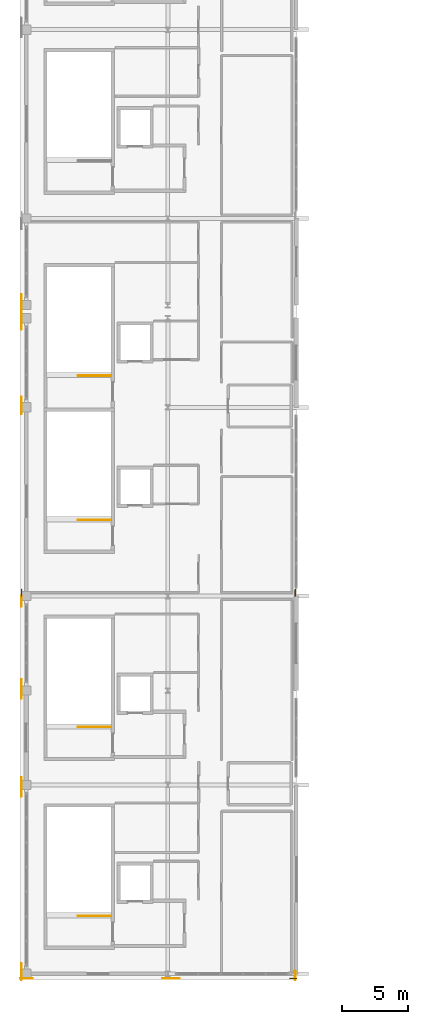
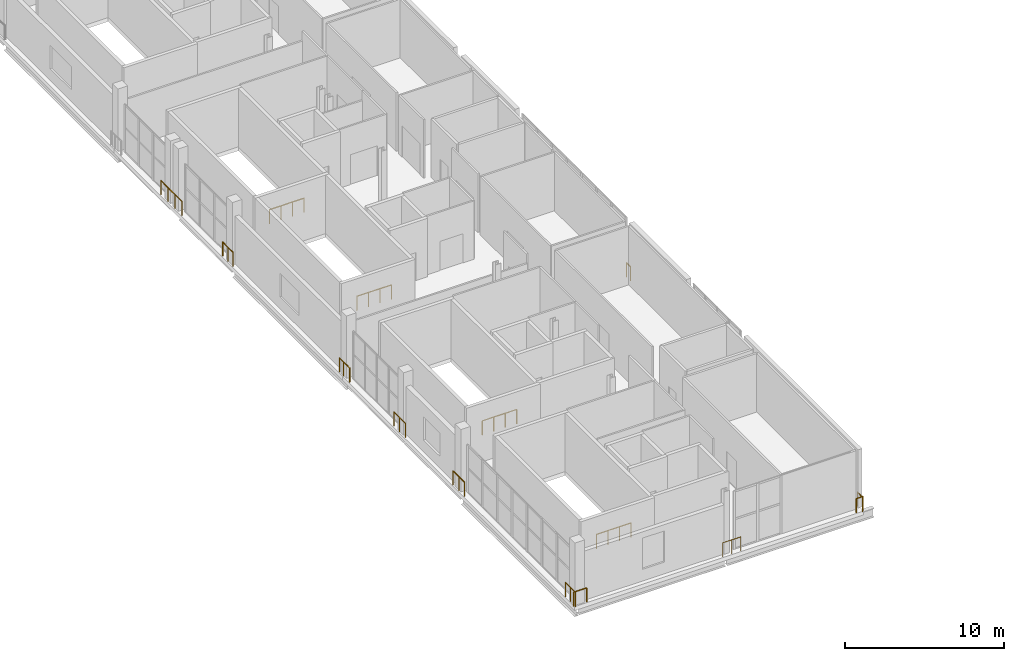
# One storey, part 17 of 19: 16 railings.
"""IFC4 building model written with IfcOpenShell, lengths in metres."""

from ifc_helpers import new_model, si_unit, direction, frame, origin, origin_2d, place, context, subcontext, project, spatial, circle, extrude, material, type_object, element, save


model = new_model("IFC4")

# Units and contexts
model_context = context("Model", 3, precision=1e-05, world=origin(), true_north=direction((0.0, 1.0)))
body_context = subcontext(model_context, "Body", "Model", "MODEL_VIEW")
ifc_project = project(units=[si_unit("LENGTHUNIT", "METRE"), si_unit("AREAUNIT", "SQUARE_METRE"), si_unit("VOLUMEUNIT", "CUBIC_METRE"), si_unit("PLANEANGLEUNIT", "RADIAN"), si_unit("MASSUNIT", "GRAM", prefix="KILO")], contexts=[model_context])

# Site, building, storey
site_placement = place(None, origin())
site = spatial("IfcSite", under=ifc_project, at=site_placement, CompositionType="ELEMENT")
building_placement = place(site_placement, origin())
building = spatial("IfcBuilding", under=site, at=building_placement, Name="Koshinbarg Plaza Stadium", CompositionType="ELEMENT")
storey_placement = place(building_placement, frame((0.0, 0.0, 29.39990234375)))
storey = spatial("IfcBuildingStorey", under=building, at=storey_placement, Name="L06", CompositionType="ELEMENT", Elevation=29.39990234375)

# Railings
ifc_material_1 = material(Name="Toughened laminated glass and stainless steel sightline balustrade", Category="steel")
railing_type_1 = type_object("IfcRailingType", Name="RL-BOWL-1100", PredefinedType="BALUSTRADE", material=ifc_material_1)
railing_1_placement = place(storey_placement, frame((24.22509765625, 25.044921875, 0.0)))
element("IfcRailing", 1, at=railing_1_placement, inside=storey, type_object=railing_type_1, Name="L06 deck edge safety balustrade 0399", PredefinedType="BALUSTRADE", context=body_context, shape_type="SweptSolid", body=[
    extrude(circle(Radius=0.02392578125, at=origin_2d()), frame((0.0, 0.0, 1.076171875), z_axis=(0.0, 1.0, 0.0), x_axis=(-1.0, 0.0, 0.0)), (0.0, 0.0, 1.0), 1.244873046875),
    extrude(circle(Radius=0.02099609375, at=origin_2d()), origin(), (0.0, 0.0, 1.0), 1.052001953125),
    extrude(circle(Radius=0.02099609375, at=origin_2d()), frame((0.0, 0.62255859375, 0.0)), (0.0, 0.0, 1.0), 1.052001953125),
    extrude(circle(Radius=0.02099609375, at=origin_2d()), frame((0.0, 1.244873046875, 0.0)), (0.0, 0.0, 1.0), 1.052001953125),
])
for number, where, name in (
    (2, (24.22509765625, 39.024658203125, 0.0), "L06 deck edge safety balustrade 0400"),
    (3, (24.22509765625, 46.48779296875, 0.0), "L06 deck edge safety balustrade 0401"),
):
    element("IfcRailing", number, at=place(storey_placement, frame(where)), inside=storey, type_object=railing_type_1, Name=name, PredefinedType="BALUSTRADE", context=body_context, shape_type="SweptSolid", body=[
        extrude(circle(Radius=0.02392578125, at=origin_2d()), frame((0.0, 0.0, 1.076171875), z_axis=(0.0, 1.0, 0.0), x_axis=(-1.0, 0.0, 0.0)), (0.0, 0.0, 1.0), 1.44482421875),
        extrude(circle(Radius=0.02099609375, at=origin_2d()), origin(), (0.0, 0.0, 1.0), 1.052001953125),
        extrude(circle(Radius=0.02099609375, at=origin_2d()), frame((0.0, 0.722412109375, 0.0)), (0.0, 0.0, 1.0), 1.052001953125),
        extrude(circle(Radius=0.02099609375, at=origin_2d()), frame((0.0, 1.44482421875, 0.0)), (0.0, 0.0, 1.0), 1.052001953125),
    ])
railing_2_placement = place(storey_placement, frame((24.22509765625, 53.5029296875, 0.0)))
element("IfcRailing", 4, at=railing_2_placement, inside=storey, type_object=railing_type_1, Name="L06 deck edge safety balustrade 0402", PredefinedType="BALUSTRADE", context=body_context, shape_type="SweptSolid", body=[
    extrude(circle(Radius=0.02392578125, at=origin_2d()), frame((0.0, 0.0, 1.076171875), z_axis=(0.0, 1.0, 0.0), x_axis=(-1.0, 0.0, 0.0)), (0.0, 0.0, 1.0), 0.797119140625),
    extrude(circle(Radius=0.02099609375, at=origin_2d()), origin(), (0.0, 0.0, 1.0), 1.052001953125),
    extrude(circle(Radius=0.02099609375, at=origin_2d()), frame((0.0, 0.797119140625, 0.0)), (0.0, 0.0, 1.0), 1.052001953125),
])
railing_3_placement = place(storey_placement, frame((45.1201171875, 25.69287109375, 0.0)))
element("IfcRailing", 5, at=railing_3_placement, inside=storey, type_object=railing_type_1, Name="L06 deck edge safety balustrade 0403", PredefinedType="BALUSTRADE", context=body_context, shape_type="SweptSolid", body=[
    extrude(circle(Radius=0.02392578125, at=origin_2d()), frame((0.0, 0.0, 1.076171875), z_axis=(0.0, -1.0, 0.0), x_axis=(1.0, 0.0, 0.0)), (0.0, 0.0, 1.0), 0.64794921875),
    extrude(circle(Radius=0.02099609375, at=origin_2d()), origin(), (0.0, 0.0, 1.0), 1.052001953125),
    extrude(circle(Radius=0.02099609375, at=origin_2d()), frame((0.0, -0.64794921875, 0.0)), (0.0, 0.0, 1.0), 1.052001953125),
])
railing_4_placement = place(storey_placement, frame((45.199951171875, 25.125, 0.0)))
element("IfcRailing", 6, at=railing_4_placement, inside=storey, type_object=railing_type_1, Name="L06 deck edge safety balustrade 0404", PredefinedType="BALUSTRADE", context=body_context, shape_type="SweptSolid", body=[
    extrude(circle(Radius=0.02392578125, at=origin_2d()), frame((0.0, 0.0, 1.076171875), z_axis=(-1.0, 0.0, 0.0), x_axis=(0.0, -1.0, 0.0)), (0.0, 0.0, 1.0), 0.49853515625),
    extrude(circle(Radius=0.02099609375, at=origin_2d()), origin(), (0.0, 0.0, 1.0), 1.052001953125),
    extrude(circle(Radius=0.02099609375, at=origin_2d()), frame((-0.49853515625, 0.0, 0.0)), (0.0, 0.0, 1.0), 1.052001953125),
])
railing_5_placement = place(storey_placement, frame((36.291015625, 25.125, 0.0)))
element("IfcRailing", 7, at=railing_5_placement, inside=storey, type_object=railing_type_1, Name="L06 deck edge safety balustrade 0405", PredefinedType="BALUSTRADE", context=body_context, shape_type="SweptSolid", body=[
    extrude(circle(Radius=0.02392578125, at=origin_2d()), frame((0.0, 0.0, 1.076171875), z_axis=(-1.0, 0.0, 0.0), x_axis=(0.0, -1.0, 0.0)), (0.0, 0.0, 1.0), 1.2958984375),
    extrude(circle(Radius=0.02099609375, at=origin_2d()), origin(), (0.0, 0.0, 1.0), 1.052001953125),
    extrude(circle(Radius=0.02099609375, at=origin_2d()), frame((-0.64794921875, 0.0, 0.0)), (0.0, 0.0, 1.0), 1.052001953125),
    extrude(circle(Radius=0.02099609375, at=origin_2d()), frame((-1.2958984375, 0.0, 0.0)), (0.0, 0.0, 1.0), 1.052001953125),
])
railing_6_placement = place(storey_placement, frame((25.091552734375, 25.125, 0.0)))
element("IfcRailing", 8, at=railing_6_placement, inside=storey, type_object=railing_type_1, Name="L06 deck edge safety balustrade 0406", PredefinedType="BALUSTRADE", context=body_context, shape_type="SweptSolid", body=[
    extrude(circle(Radius=0.02392578125, at=origin_2d()), frame((0.0, 0.0, 1.076171875), z_axis=(-1.0, 0.0, 0.0), x_axis=(0.0, -1.0, 0.0)), (0.0, 0.0, 1.0), 0.946533203125),
    extrude(circle(Radius=0.02099609375, at=origin_2d()), origin(), (0.0, 0.0, 1.0), 1.052001953125),
    extrude(circle(Radius=0.02099609375, at=origin_2d()), frame((-0.946533203125, 0.0, 0.0)), (0.0, 0.0, 1.0), 1.052001953125),
])
railing_7_placement = place(storey_placement, frame((24.22509765625, 54.300048828125, 0.0)))
element("IfcRailing", 9, at=railing_7_placement, inside=storey, type_object=railing_type_1, Name="L06 deck edge safety balustrade 0407", PredefinedType="BALUSTRADE", context=body_context, shape_type="SweptSolid", body=[
    extrude(circle(Radius=0.02392578125, at=origin_2d()), frame((0.0, 0.0, 1.076171875), z_axis=(0.0, 1.0, 0.0), x_axis=(-1.0, 0.0, 0.0)), (0.0, 0.0, 1.0), 0.5),
    extrude(circle(Radius=0.02099609375, at=origin_2d()), origin(), (0.0, 0.0, 1.0), 1.052001953125),
    extrude(circle(Radius=0.02099609375, at=origin_2d()), frame((0.0, 0.5, 0.0)), (0.0, 0.0, 1.0), 1.052001953125),
])
railing_8_placement = place(storey_placement, frame((24.22509765625, 68.199951171875, 0.0)))
element("IfcRailing", 10, at=railing_8_placement, inside=storey, type_object=railing_type_1, Name="L06 deck edge safety balustrade 0408", PredefinedType="BALUSTRADE", context=body_context, shape_type="SweptSolid", body=[
    extrude(circle(Radius=0.02392578125, at=origin_2d()), frame((0.0, 0.0, 1.076171875), z_axis=(0.0, 1.0, 0.0), x_axis=(-1.0, 0.0, 0.0)), (0.0, 0.0, 1.0), 1.300048828125),
    extrude(circle(Radius=0.02099609375, at=origin_2d()), origin(), (0.0, 0.0, 1.0), 1.052001953125),
    extrude(circle(Radius=0.02099609375, at=origin_2d()), frame((0.0, 0.64990234375, 0.0)), (0.0, 0.0, 1.0), 1.052001953125),
    extrude(circle(Radius=0.02099609375, at=origin_2d()), frame((0.0, 1.300048828125, 0.0)), (0.0, 0.0, 1.0), 1.052001953125),
])
railing_9_placement = place(storey_placement, frame((24.22509765625, 74.64990234375, 0.0)))
element("IfcRailing", 11, at=railing_9_placement, inside=storey, type_object=railing_type_1, Name="L06 deck edge safety balustrade 0409", PredefinedType="BALUSTRADE", context=body_context, shape_type="SweptSolid", body=[
    extrude(circle(Radius=0.02392578125, at=origin_2d()), frame((0.0, 0.0, 1.076171875), z_axis=(0.0, 1.0, 0.0), x_axis=(-1.0, 0.0, 0.0)), (0.0, 0.0, 1.0), 2.650146484375),
    extrude(circle(Radius=0.02099609375, at=origin_2d()), origin(), (0.0, 0.0, 1.0), 1.052001953125),
    extrude(circle(Radius=0.02099609375, at=origin_2d()), frame((0.0, 0.88330078125, 0.0)), (0.0, 0.0, 1.0), 1.052001953125),
    extrude(circle(Radius=0.02099609375, at=origin_2d()), frame((0.0, 1.766845703125, 0.0)), (0.0, 0.0, 1.0), 1.052001953125),
    extrude(circle(Radius=0.02099609375, at=origin_2d()), frame((0.0, 2.650146484375, 0.0)), (0.0, 0.0, 1.0), 1.052001953125),
])
railing_10_placement = place(storey_placement, frame((45.1201171875, 54.800048828125, 0.0)))
element("IfcRailing", 12, at=railing_10_placement, inside=storey, type_object=railing_type_1, Name="L06 deck edge safety balustrade 0411", PredefinedType="BALUSTRADE", context=body_context, shape_type="SweptSolid", body=[
    extrude(circle(Radius=0.02392578125, at=origin_2d()), frame((0.0, 0.0, 1.076171875), z_axis=(0.0, -1.0, 0.0), x_axis=(1.0, 0.0, 0.0)), (0.0, 0.0, 1.0), 0.5),
    extrude(circle(Radius=0.02099609375, at=origin_2d()), origin(), (0.0, 0.0, 1.0), 1.052001953125),
    extrude(circle(Radius=0.02099609375, at=origin_2d()), frame((0.0, -0.5, 0.0)), (0.0, 0.0, 1.0), 1.052001953125),
])
ifc_material_2 = material(Name="Galvanized painted steel guardrail", Category="steel")
railing_type_2 = type_object("IfcRailingType", Name="RL-GUARD-1100", PredefinedType="GUARDRAIL", material=ifc_material_2)
for number, where, name in (
    (13, (31.070068359375, 29.909912109375, 0.0), "L06 C01 top stairwell guard 1"),
    (14, (31.070068359375, 44.31005859375, 0.0), "L06 C02 top stairwell guard 1"),
    (15, (31.070068359375, 60.110107421875, 0.0), "L06 C03 top stairwell guard 1"),
    (16, (31.070068359375, 71.110107421875, 0.0), "L06 C04 top stairwell guard 1"),
):
    element("IfcRailing", number, at=place(storey_placement, frame(where)), inside=storey, type_object=railing_type_2, Name=name, PredefinedType="GUARDRAIL", context=body_context, shape_type="SweptSolid", body=[
        extrude(circle(Radius=0.02392578125, at=origin_2d()), frame((0.0, 0.0, 1.076171875), z_axis=(-1.0, 0.0, 0.0), x_axis=(0.0, -1.0, 0.0)), (0.0, 0.0, 1.0), 2.510009765625),
        extrude(circle(Radius=0.02099609375, at=origin_2d()), origin(), (0.0, 0.0, 1.0), 1.052001953125),
        extrude(circle(Radius=0.02099609375, at=origin_2d()), frame((-0.836669921875, 0.0, 0.0)), (0.0, 0.0, 1.0), 1.052001953125),
        extrude(circle(Radius=0.02099609375, at=origin_2d()), frame((-1.67333984375, 0.0, 0.0)), (0.0, 0.0, 1.0), 1.052001953125),
        extrude(circle(Radius=0.02099609375, at=origin_2d()), frame((-2.510009765625, 0.0, 0.0)), (0.0, 0.0, 1.0), 1.052001953125),
    ])

save(model, "model.ifc")
